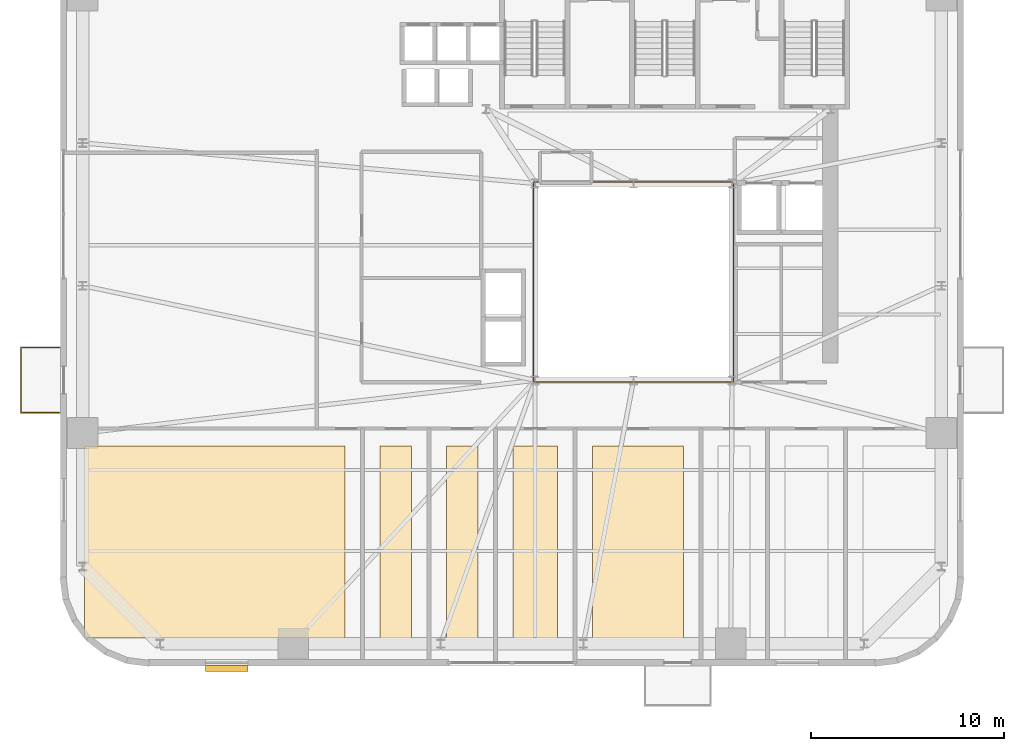
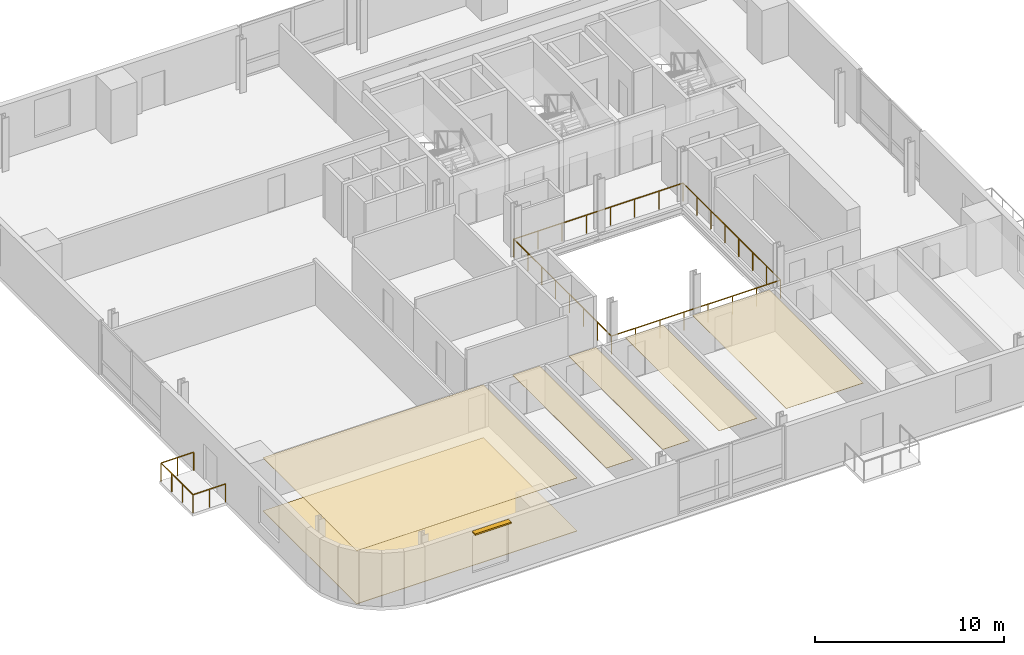
# One storey, part 10 of 14: 6 coverings, 2 railings, 1 shading device.
"""IFC4 building model written with IfcOpenShell, lengths in metres."""

from ifc_helpers import new_model, si_unit, direction, frame, origin, origin_2d, place, context, subcontext, project, spatial, polyline, rectangle, outline, extrude, source, transform, mapped, material, layer, layer_set, type_object, element, save


model = new_model("IFC4")

# Units and contexts
model_context = context("Model", 3, precision=1e-05, world=origin(), true_north=direction((0.0, 1.0)))
body_context = subcontext(model_context, "Body", "Model", "MODEL_VIEW")
ifc_project = project(units=[si_unit("LENGTHUNIT", "METRE"), si_unit("AREAUNIT", "SQUARE_METRE"), si_unit("VOLUMEUNIT", "CUBIC_METRE"), si_unit("PLANEANGLEUNIT", "RADIAN"), si_unit("MASSUNIT", "GRAM", prefix="KILO")], contexts=[model_context])

# Site, building, storey
site_placement = place(None, origin())
site = spatial("IfcSite", under=ifc_project, at=site_placement, CompositionType="ELEMENT")
building_placement = place(site_placement, origin())
building = spatial("IfcBuilding", under=site, at=building_placement, Name="Vardaveli Station Tower", CompositionType="ELEMENT")
storey_placement = place(building_placement, frame((0.0, 0.0, 122.39990234375)))
storey = spatial("IfcBuildingStorey", under=building, at=storey_placement, Name="L31", CompositionType="ELEMENT", Elevation=122.39990234375)

# Coverings
ifc_material_1 = material(Name="Perforated acoustic mineral ceiling")
ifc_layer_1 = layer(ifc_material_1, 0.02001953125, Name="Perforated acoustic mineral ceiling")
ifc_layer_set_1 = layer_set([ifc_layer_1], Name="Perforated acoustic mineral ceiling")
covering_type_1 = type_object("IfcCoveringType", Name="COV-CEIL-AC20", PredefinedType="CEILING", material=ifc_layer_set_1)
covering_1_placement = place(storey_placement, frame((0.0, 0.0, 3.445068359375)))
element("IfcCovering", 1, at=covering_1_placement, inside=storey, type_object=covering_type_1, Name="CEIL-L31-1", PredefinedType="CEILING", context=body_context, shape_type="SweptSolid", body=[
    extrude(outline(polyline([(7.85009765625, 3.25), (21.35009765625, 3.25), (21.35009765625, 13.199951171875), (7.85009765625, 13.199951171875), (7.85009765625, 3.25)])), origin(), (0.0, 0.0, 1.0), 0.02001953125),
])
covering_2_placement = place(storey_placement, frame((0.0, 0.0, 3.445068359375)))
element("IfcCovering", 2, at=covering_2_placement, inside=storey, type_object=covering_type_1, Name="CEIL-L31-2", PredefinedType="CEILING", context=body_context, shape_type="SweptSolid", body=[
    extrude(outline(polyline([(23.14990234375, 3.25), (24.800048828125, 3.25), (24.800048828125, 13.199951171875), (23.14990234375, 13.199951171875), (23.14990234375, 3.25)])), origin(), (0.0, 0.0, 1.0), 0.02001953125),
])
covering_3_placement = place(storey_placement, frame((0.0, 0.0, 3.445068359375)))
element("IfcCovering", 3, at=covering_3_placement, inside=storey, type_object=covering_type_1, Name="CEIL-L31-3", PredefinedType="CEILING", context=body_context, shape_type="SweptSolid", body=[
    extrude(outline(polyline([(26.60009765625, 3.25), (28.25, 3.25), (28.25, 13.199951171875), (26.60009765625, 13.199951171875), (26.60009765625, 3.25)])), origin(), (0.0, 0.0, 1.0), 0.02001953125),
])
covering_4_placement = place(storey_placement, frame((0.0, 0.0, 3.445068359375)))
element("IfcCovering", 4, at=covering_4_placement, inside=storey, type_object=covering_type_1, Name="CEIL-L31-4", PredefinedType="CEILING", context=body_context, shape_type="SweptSolid", body=[
    extrude(outline(polyline([(30.050048828125, 3.25), (32.36865234375, 3.25), (32.36865234375, 13.199951171875), (30.050048828125, 13.199951171875), (30.050048828125, 3.25)])), origin(), (0.0, 0.0, 1.0), 0.02001953125),
])
covering_5_placement = place(storey_placement, frame((0.0, 0.0, 3.445068359375)))
element("IfcCovering", 5, at=covering_5_placement, inside=storey, type_object=covering_type_1, Name="CEIL-L31-5", PredefinedType="CEILING", context=body_context, shape_type="SweptSolid", body=[
    extrude(outline(polyline([(34.168701171875, 3.25), (38.8896484375, 3.25), (38.8896484375, 13.199951171875), (34.168701171875, 13.199951171875), (34.168701171875, 3.25)])), origin(), (0.0, 0.0, 1.0), 0.02001953125),
])
ifc_material_2 = material(Name="Honed Caucasian basalt and travertine flooring", Category="masonry")
ifc_layer_2 = layer(ifc_material_2, 0.030029296875, Name="Honed Caucasian basalt and travertine flooring")
ifc_layer_set_2 = layer_set([ifc_layer_2], Name="Honed Caucasian basalt and travertine flooring")
covering_type_2 = type_object("IfcCoveringType", Name="COV-FLOOR-ST30", PredefinedType="FLOORING", material=ifc_layer_set_2)
covering_6_placement = place(storey_placement, origin())
element("IfcCovering", 6, at=covering_6_placement, inside=storey, type_object=covering_type_2, Name="FLR-L31-1", PredefinedType="FLOORING", context=body_context, shape_type="SweptSolid", body=[
    extrude(outline(polyline([(7.85009765625, 3.25), (21.35009765625, 3.25), (21.35009765625, 13.199951171875), (7.85009765625, 13.199951171875), (7.85009765625, 3.25)])), origin(), (0.0, 0.0, 1.0), 0.030029296875),
])

# Shading device
ifc_material_3 = material(Name="Anodised champagne aluminium sunshade", Category="aluminium")
ifc_layer_3 = layer(ifc_material_3, 0.090087890625, Name="Anodised champagne aluminium sunshade")
ifc_layer_set_3 = layer_set([ifc_layer_3], Name="Anodised champagne aluminium sunshade")
shading_device_type = type_object("IfcShadingDeviceType", Name="SHD-SUNSHADE", PredefinedType="USERDEFINED", material=ifc_layer_set_3)
shared_shape_1 = source(origin(), body_context, "Body", "SweptSolid", [
    extrude(rectangle(XDim=2.199951171875, YDim=0.320068359375, at=origin_2d()), origin(), (0.0, 0.0, 1.0), 0.090087890625),
])
shading_device_placement = place(storey_placement, frame((15.205078125, 1.655029296875, 3.33984375), z_axis=(0.0, 0.0, 1.0), x_axis=(1.0, 0.0, 0.0)))
element("IfcShadingDevice", 7, at=shading_device_placement, inside=storey, type_object=shading_device_type, Name="SHD-SS-L31-S", ObjectType="SUNSHADE", PredefinedType="USERDEFINED", context=body_context, shape_type="MappedRepresentation", body=[
    mapped(shared_shape_1, transform((0.0, 0.0, 0.0), scale=1.0)),
])

# Railings
ifc_material_4 = material(Name="Laminated glass and stainless steel balustrade", Category="steel")
railing_type = type_object("IfcRailingType", Name="RL-BAL-1200", PredefinedType="BALUSTRADE", material=ifc_material_4)
shared_shape_2 = source(origin(), body_context, "Body", "SweptSolid", [
    extrude(rectangle(XDim=0.048095703125, YDim=0.048095703125, at=origin_2d()), frame((0.0, 0.0, 1.17578125), z_axis=(-1.0, 0.0, 0.0), x_axis=(0.0, -1.0, 0.0)), (0.0, 0.0, 1.0), 2.0),
    extrude(rectangle(XDim=0.048095703125, YDim=0.048095703125, at=origin_2d()), frame((-2.0, 0.0, 1.17578125), z_axis=(0.0, 1.0, 0.0), x_axis=(-1.0, 0.0, 0.0)), (0.0, 0.0, 1.0), 3.3798828125),
    extrude(rectangle(XDim=0.048095703125, YDim=0.048095703125, at=origin_2d()), frame((-2.0, 3.3798828125, 1.17578125), z_axis=(1.0, 0.0, 0.0), x_axis=(0.0, 1.0, 0.0)), (0.0, 0.0, 1.0), 2.0),
    extrude(rectangle(XDim=0.0419921875, YDim=0.0419921875, at=origin_2d()), origin(), (0.0, 0.0, 1.0), 1.15185546875),
    extrude(rectangle(XDim=0.0419921875, YDim=0.0419921875, at=origin_2d()), frame((-1.0, 0.0, 0.0)), (0.0, 0.0, 1.0), 1.15185546875),
    extrude(rectangle(XDim=0.0419921875, YDim=0.0419921875, at=origin_2d()), frame((-2.0, 0.0, 0.0)), (0.0, 0.0, 1.0), 1.15185546875),
    extrude(rectangle(XDim=0.0419921875, YDim=0.0419921875, at=origin_2d()), frame((-2.0, 1.126708984375, 0.0)), (0.0, 0.0, 1.0), 1.15185546875),
    extrude(rectangle(XDim=0.0419921875, YDim=0.0419921875, at=origin_2d()), frame((-2.0, 2.253173828125, 0.0)), (0.0, 0.0, 1.0), 1.15185546875),
    extrude(rectangle(XDim=0.0419921875, YDim=0.0419921875, at=origin_2d()), frame((-2.0, 3.3798828125, 0.0)), (0.0, 0.0, 1.0), 1.15185546875),
    extrude(rectangle(XDim=0.0419921875, YDim=0.0419921875, at=origin_2d()), frame((-1.0, 3.3798828125, 0.0)), (0.0, 0.0, 1.0), 1.15185546875),
    extrude(rectangle(XDim=0.0419921875, YDim=0.0419921875, at=origin_2d()), frame((0.0, 3.3798828125, 0.0)), (0.0, 0.0, 1.0), 1.15185546875),
])
railing_1_placement = place(storey_placement, frame((6.56005859375, 14.92041015625, 0.0)))
element("IfcRailing", 8, at=railing_1_placement, inside=storey, type_object=railing_type, Name="RL-LOG-L31-03", PredefinedType="BALUSTRADE", context=body_context, shape_type="MappedRepresentation", body=[
    mapped(shared_shape_2, transform((0.0, 0.0, 0.0), scale=1.0)),
])
shared_shape_3 = source(origin(), body_context, "Body", "SweptSolid", [
    extrude(rectangle(XDim=0.048095703125, YDim=0.048095703125, at=origin_2d()), frame((0.0, 0.0, 1.17578125), z_axis=(1.0, 0.0, 0.0), x_axis=(0.0, 1.0, 0.0)), (0.0, 0.0, 1.0), 10.35986328125),
    extrude(rectangle(XDim=0.048095703125, YDim=0.048095703125, at=origin_2d()), frame((10.35986328125, 0.0, 1.17578125), z_axis=(0.0, 1.0, 0.0), x_axis=(-1.0, 0.0, 0.0)), (0.0, 0.0, 1.0), 10.35986328125),
    extrude(rectangle(XDim=0.048095703125, YDim=0.048095703125, at=origin_2d()), frame((10.35986328125, 10.35986328125, 1.17578125), z_axis=(-1.0, 0.0, 0.0), x_axis=(0.0, -1.0, 0.0)), (0.0, 0.0, 1.0), 10.35986328125),
    extrude(rectangle(XDim=0.048095703125, YDim=0.048095703125, at=origin_2d()), frame((0.0, 10.35986328125, 1.17578125), z_axis=(0.0, -1.0, 0.0), x_axis=(1.0, 0.0, 0.0)), (0.0, 0.0, 1.0), 10.35986328125),
    extrude(rectangle(XDim=0.0419921875, YDim=0.0419921875, at=origin_2d()), origin(), (0.0, 0.0, 1.0), 1.15185546875),
    extrude(rectangle(XDim=0.0419921875, YDim=0.0419921875, at=origin_2d()), frame((1.47998046875, 0.0, 0.0)), (0.0, 0.0, 1.0), 1.15185546875),
    extrude(rectangle(XDim=0.0419921875, YDim=0.0419921875, at=origin_2d()), frame((2.9599609375, 0.0, 0.0)), (0.0, 0.0, 1.0), 1.15185546875),
    extrude(rectangle(XDim=0.0419921875, YDim=0.0419921875, at=origin_2d()), frame((4.43994140625, 0.0, 0.0)), (0.0, 0.0, 1.0), 1.15185546875),
    extrude(rectangle(XDim=0.0419921875, YDim=0.0419921875, at=origin_2d()), frame((5.919921875, 0.0, 0.0)), (0.0, 0.0, 1.0), 1.15185546875),
    extrude(rectangle(XDim=0.0419921875, YDim=0.0419921875, at=origin_2d()), frame((7.39990234375, 0.0, 0.0)), (0.0, 0.0, 1.0), 1.15185546875),
    extrude(rectangle(XDim=0.0419921875, YDim=0.0419921875, at=origin_2d()), frame((8.8798828125, 0.0, 0.0)), (0.0, 0.0, 1.0), 1.15185546875),
    extrude(rectangle(XDim=0.0419921875, YDim=0.0419921875, at=origin_2d()), frame((10.35986328125, 0.0, 0.0)), (0.0, 0.0, 1.0), 1.15185546875),
    extrude(rectangle(XDim=0.0419921875, YDim=0.0419921875, at=origin_2d()), frame((10.35986328125, 1.47998046875, 0.0)), (0.0, 0.0, 1.0), 1.15185546875),
    extrude(rectangle(XDim=0.0419921875, YDim=0.0419921875, at=origin_2d()), frame((10.35986328125, 2.9599609375, 0.0)), (0.0, 0.0, 1.0), 1.15185546875),
    extrude(rectangle(XDim=0.0419921875, YDim=0.0419921875, at=origin_2d()), frame((10.35986328125, 4.43994140625, 0.0)), (0.0, 0.0, 1.0), 1.15185546875),
    extrude(rectangle(XDim=0.0419921875, YDim=0.0419921875, at=origin_2d()), frame((10.35986328125, 5.919921875, 0.0)), (0.0, 0.0, 1.0), 1.15185546875),
    extrude(rectangle(XDim=0.0419921875, YDim=0.0419921875, at=origin_2d()), frame((10.35986328125, 7.39990234375, 0.0)), (0.0, 0.0, 1.0), 1.15185546875),
    extrude(rectangle(XDim=0.0419921875, YDim=0.0419921875, at=origin_2d()), frame((10.35986328125, 8.8798828125, 0.0)), (0.0, 0.0, 1.0), 1.15185546875),
    extrude(rectangle(XDim=0.0419921875, YDim=0.0419921875, at=origin_2d()), frame((10.35986328125, 10.35986328125, 0.0)), (0.0, 0.0, 1.0), 1.15185546875),
    extrude(rectangle(XDim=0.0419921875, YDim=0.0419921875, at=origin_2d()), frame((8.8798828125, 10.35986328125, 0.0)), (0.0, 0.0, 1.0), 1.15185546875),
    extrude(rectangle(XDim=0.0419921875, YDim=0.0419921875, at=origin_2d()), frame((7.39990234375, 10.35986328125, 0.0)), (0.0, 0.0, 1.0), 1.15185546875),
    extrude(rectangle(XDim=0.0419921875, YDim=0.0419921875, at=origin_2d()), frame((5.919921875, 10.35986328125, 0.0)), (0.0, 0.0, 1.0), 1.15185546875),
    extrude(rectangle(XDim=0.0419921875, YDim=0.0419921875, at=origin_2d()), frame((4.43994140625, 10.35986328125, 0.0)), (0.0, 0.0, 1.0), 1.15185546875),
    extrude(rectangle(XDim=0.0419921875, YDim=0.0419921875, at=origin_2d()), frame((2.9599609375, 10.35986328125, 0.0)), (0.0, 0.0, 1.0), 1.15185546875),
    extrude(rectangle(XDim=0.0419921875, YDim=0.0419921875, at=origin_2d()), frame((1.47998046875, 10.35986328125, 0.0)), (0.0, 0.0, 1.0), 1.15185546875),
    extrude(rectangle(XDim=0.0419921875, YDim=0.0419921875, at=origin_2d()), frame((0.0, 10.35986328125, 0.0)), (0.0, 0.0, 1.0), 1.15185546875),
    extrude(rectangle(XDim=0.0419921875, YDim=0.0419921875, at=origin_2d()), frame((0.0, 8.8798828125, 0.0)), (0.0, 0.0, 1.0), 1.15185546875),
    extrude(rectangle(XDim=0.0419921875, YDim=0.0419921875, at=origin_2d()), frame((0.0, 7.39990234375, 0.0)), (0.0, 0.0, 1.0), 1.15185546875),
    extrude(rectangle(XDim=0.0419921875, YDim=0.0419921875, at=origin_2d()), frame((0.0, 5.919921875, 0.0)), (0.0, 0.0, 1.0), 1.15185546875),
    extrude(rectangle(XDim=0.0419921875, YDim=0.0419921875, at=origin_2d()), frame((0.0, 4.43994140625, 0.0)), (0.0, 0.0, 1.0), 1.15185546875),
    extrude(rectangle(XDim=0.0419921875, YDim=0.0419921875, at=origin_2d()), frame((0.0, 2.9599609375, 0.0)), (0.0, 0.0, 1.0), 1.15185546875),
    extrude(rectangle(XDim=0.0419921875, YDim=0.0419921875, at=origin_2d()), frame((0.0, 1.47998046875, 0.0)), (0.0, 0.0, 1.0), 1.15185546875),
])
railing_2_placement = place(storey_placement, frame((31.1201171875, 16.52001953125, 0.0)))
element("IfcRailing", 9, at=railing_2_placement, inside=storey, type_object=railing_type, Name="RL-ATR-L31", PredefinedType="BALUSTRADE", context=body_context, shape_type="MappedRepresentation", body=[
    mapped(shared_shape_3, transform((0.0, 0.0, 0.0), scale=1.0)),
])

save(model, "model.ifc")
